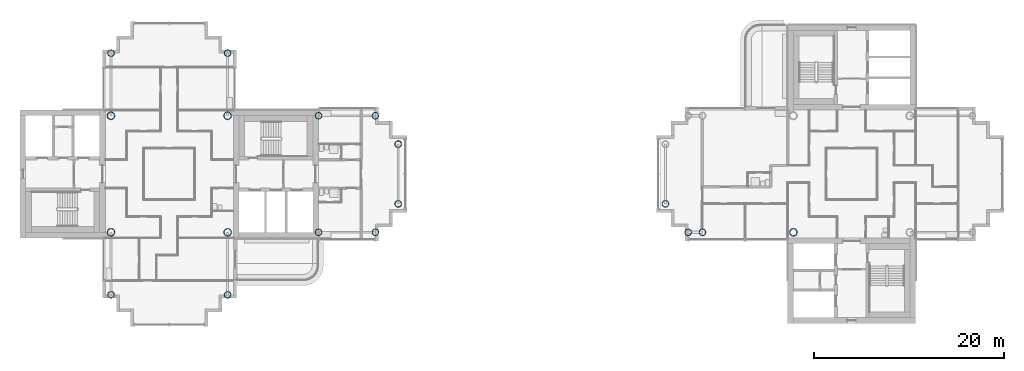
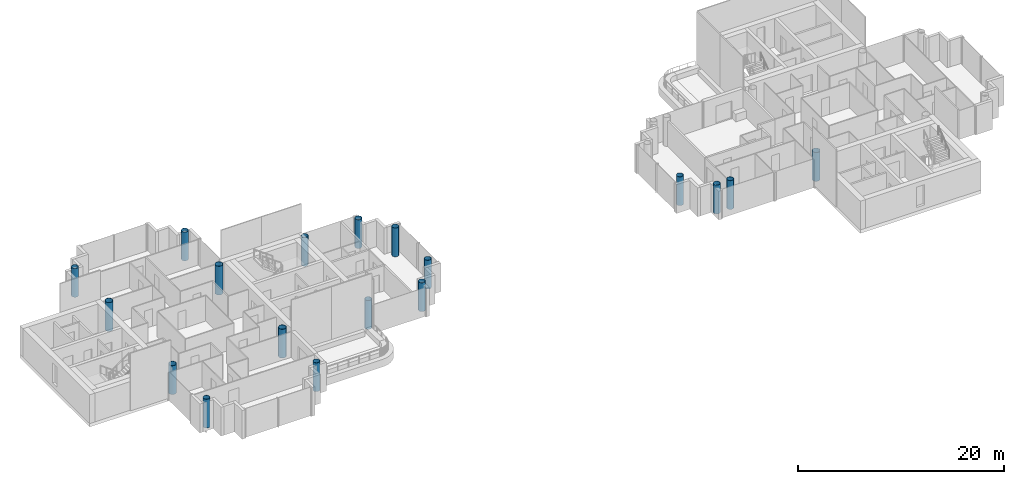
# One storey, part 1 of 18: 18 columns.
"""IFC4 building model written with IfcOpenShell, lengths in metres."""

from ifc_helpers import new_model, si_unit, direction, frame, origin, origin_2d, place, context, subcontext, project, spatial, hollow_circle, extrude, material, material_profile, profile_set, type_object, element, save


model = new_model("IFC4")

# Units and contexts
model_context = context("Model", 3, precision=1e-05, world=origin(), true_north=direction((0.0, 1.0)))
body_context = subcontext(model_context, "Body", "Model", "MODEL_VIEW")
ifc_project = project(units=[si_unit("LENGTHUNIT", "METRE"), si_unit("AREAUNIT", "SQUARE_METRE"), si_unit("VOLUMEUNIT", "CUBIC_METRE"), si_unit("PLANEANGLEUNIT", "RADIAN"), si_unit("MASSUNIT", "GRAM", prefix="KILO")], contexts=[model_context])

# Site, building, storey
site_placement = place(None, origin())
site = spatial("IfcSite", under=ifc_project, at=site_placement, CompositionType="ELEMENT")
building_placement = place(site_placement, origin())
building = spatial("IfcBuilding", under=site, at=building_placement, Name="Ipe Terrace Towers", CompositionType="ELEMENT")
storey_placement = place(building_placement, frame((0.0, 0.0, 226.60009765625)))
storey = spatial("IfcBuildingStorey", under=building, at=storey_placement, Name="L63", CompositionType="ELEMENT", Elevation=226.60009765625)

# Columns
ifc_material_1 = material(Name="Steel S355 tube with Concrete C60/75 fill", Category="concrete")
ifc_material_profile_1 = material_profile(ifc_material_1, hollow_circle(Radius=0.35009765625, WallThickness=0.02490234375, at=origin_2d()), Name="CHS-700x25")
ifc_profile_set_1 = profile_set([ifc_material_profile_1], Name="Steel S355 tube with Concrete C60/75 fill")
column_type_1 = type_object("IfcColumnType", Name="CH08 COLUMN CHS-700x25", PredefinedType="COLUMN", material=ifc_profile_set_1)
for number, where, z_axis, x_axis, name in (
    (1, (-20.25, -6.14990234375, 0.0), (0.0, 0.0, 1.0), (1.0, 0.0, 0.0), "Column T1-C-A01"),
    (2, (-20.25, 6.14990234375, 0.0), (0.0, 0.0, 1.0), (1.0, 0.0, 0.0), "Column T1-C-A02"),
    (3, (-14.25, -6.14990234375, 0.0), (0.0, 0.0, 1.0), (1.0, 0.0, 0.0), "Column T1-C-A03"),
    (4, (-14.25, 6.14990234375, 0.0), (0.0, 0.0, 1.0), (1.0, 0.0, 0.0), "Column T1-C-A04"),
    (5, (-11.85009765625, -3.14990234375, 0.0), (0.0, 0.0, 1.0), (1.0, 0.0, 0.0), "Column T1-C-A05"),
    (6, (-11.85009765625, 3.14990234375, 0.0), (0.0, 0.0, 1.0), (1.0, 0.0, 0.0), "Column T1-C-A06"),
    (7, (-29.85009765625, 12.75, 0.0), (0.0, 0.0, 1.0), (1.0, 0.0, 0.0), "Column T1-C-B01"),
    (8, (-42.14990234375, 12.75, 0.0), (0.0, 0.0, 1.0), (1.0, 0.0, 0.0), "Column T1-C-B02"),
    (9, (-42.14990234375, -12.75, 0.0), (0.0, 0.0, 1.0), (1.0, 0.0, 0.0), "Column T1-C-D01"),
    (10, (-29.85009765625, -12.75, 0.0), (0.0, 0.0, 1.0), (1.0, 0.0, 0.0), "Column T1-C-D02"),
    (11, (20.25, -6.14990234375, 0.0), (0.0, 0.0, 1.0), (1.0, 0.0, 0.0), "Column T2-C-B04"),
    (12, (18.75, -6.14990234375, 0.0), (0.0, 0.0, 1.0), (1.0, 0.0, 0.0), "Column T2-C-B06"),
    (13, (16.35009765625, -3.14990234375, 0.0), (0.0, 0.0, 1.0), (1.0, 0.0, 0.0), "Column T2-C-B08"),
):
    element("IfcColumn", number, at=place(storey_placement, frame(where, z_axis=z_axis, x_axis=x_axis)), inside=storey, type_object=column_type_1, Name=name, PredefinedType="COLUMN", context=body_context, shape_type="SweptSolid", body=[
        extrude(hollow_circle(Radius=0.35009765625, WallThickness=0.02490234375, at=origin_2d()), origin(), (0.0, 0.0, 1.0), 3.39990234375),
    ])
ifc_material_2 = material(Name="Steel S355 tube with Concrete C60/75 fill", Category="concrete")
ifc_material_profile_2 = material_profile(ifc_material_2, hollow_circle(Radius=0.39990234375, WallThickness=0.028076171875, at=origin_2d()), Name="CHS-800x28")
ifc_profile_set_2 = profile_set([ifc_material_profile_2], Name="Steel S355 tube with Concrete C60/75 fill")
column_type_2 = type_object("IfcColumnType", Name="CH09 COLUMN CHS-800x28", PredefinedType="COLUMN", material=ifc_profile_set_2)
for number, where, z_axis, x_axis, name in (
    (14, (-42.14990234375, -6.14990234375, 0.0), (0.0, 0.0, 1.0), (1.0, 0.0, 0.0), "Column T1-C-E01"),
    (15, (-29.85009765625, -6.14990234375, 0.0), (0.0, 0.0, 1.0), (1.0, 0.0, 0.0), "Column T1-C-E02"),
    (16, (-29.85009765625, 6.14990234375, 0.0), (0.0, 0.0, 1.0), (1.0, 0.0, 0.0), "Column T1-C-E03"),
    (17, (-42.14990234375, 6.14990234375, 0.0), (0.0, 0.0, 1.0), (1.0, 0.0, 0.0), "Column T1-C-E04"),
    (18, (29.85009765625, -6.14990234375, 0.0), (0.0, 0.0, 1.0), (1.0, 0.0, 0.0), "Column T2-C-E04"),
):
    element("IfcColumn", number, at=place(storey_placement, frame(where, z_axis=z_axis, x_axis=x_axis)), inside=storey, type_object=column_type_2, Name=name, PredefinedType="COLUMN", context=body_context, shape_type="SweptSolid", body=[
        extrude(hollow_circle(Radius=0.39990234375, WallThickness=0.028076171875, at=origin_2d()), origin(), (0.0, 0.0, 1.0), 3.39990234375),
    ])

save(model, "model.ifc")
